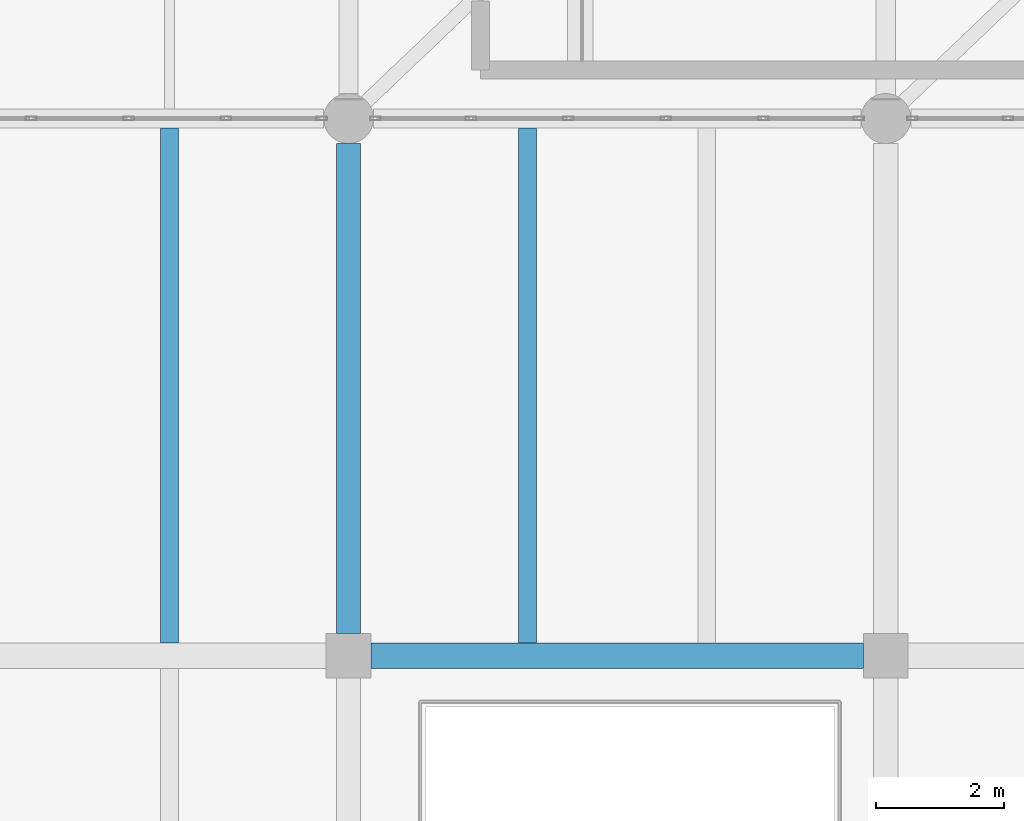
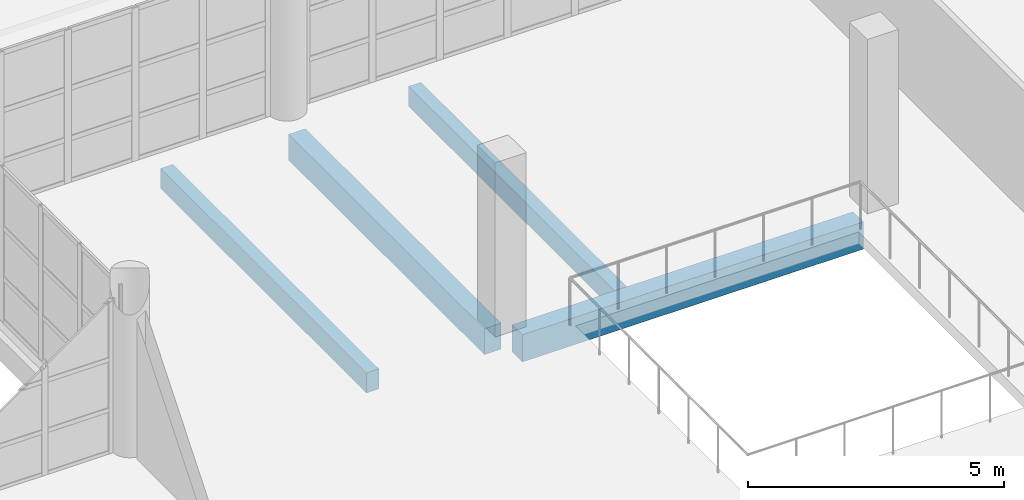
# One storey, part 80 of 177: 4 beams.
"""IFC4 building model written with IfcOpenShell, lengths in metres."""

import ifcopenshell
import ifcopenshell.guid

model = None  # the IFC model being written
_history = None  # IfcOwnerHistory: only IFC2X3 demands one
_inside = {}  # id of a spatial element -> (the spatial element, [elements in it])
_under = {}  # id of a project, library or spatial element -> (it, [spatial elements below it])
_declared = {}  # id of a project -> (the project, [libraries it declares])
_typed = {}  # id of a type object -> (the type object, [elements of that type])
_made_of = {}  # id of a material, layer set ... -> (it, [elements and type objects made of it])


def new_model(schema):
    """Start an empty IFC model of exactly this schema.

    Asked for "IFC4X3", IfcOpenShell would pick the latest addendum, in which some entities
    have other attributes; the version numbers below select the first issue.
    IFC2X3 requires an IfcOwnerHistory on every rooted entity: one is made here for all.
    """
    global model, _history
    if schema == "IFC4X3":
        model = ifcopenshell.file(schema_version=(4, 3, 0, 0))
    else:
        model = ifcopenshell.file(schema=schema)
    _inside.clear()
    _under.clear()
    _declared.clear()
    _typed.clear()
    _made_of.clear()
    _history = None
    if model.schema == "IFC2X3":
        org = make("IfcOrganization", Name="unknown")
        user = make(
            "IfcPersonAndOrganization",
            ThePerson=make("IfcPerson", FamilyName="unknown"),
            TheOrganization=org,
        )
        app = make(
            "IfcApplication",
            ApplicationDeveloper=org,
            Version="unknown",
            ApplicationFullName="unknown",
            ApplicationIdentifier="unknown",
        )
        _history = make(
            "IfcOwnerHistory",
            OwningUser=user,
            OwningApplication=app,
            ChangeAction="ADDED",
            CreationDate=0,
        )
    return model


def make(cls, **values):
    """One entity of the class cls with the attributes given. An attribute that is None is left unset."""
    return model.create_entity(
        cls, **{name: value for name, value in values.items() if value is not None}
    )


def rooted(cls, **values):
    """An entity with a GlobalId (a new one), such as an element, a storey or a relation."""
    return make(cls, GlobalId=ifcopenshell.guid.new(), OwnerHistory=_history, **values)


def si_unit(unit_type, name, prefix=None):
    """IfcSIUnit, for example si_unit("LENGTHUNIT", "METRE", prefix="MILLI")."""
    return make("IfcSIUnit", UnitType=unit_type, Prefix=prefix, Name=name)


def assignment(units):
    """IfcUnitAssignment: the units of a project."""
    return None if units is None else make("IfcUnitAssignment", Units=units)


def point(xyz):
    """IfcCartesianPoint."""
    return None if xyz is None else make("IfcCartesianPoint", Coordinates=xyz)


def direction(xyz):
    """IfcDirection."""
    return None if xyz is None else make("IfcDirection", DirectionRatios=xyz)


def frame(location, z_axis=None, x_axis=None):
    """IfcAxis2Placement3D, a coordinate frame: its origin and axes. An axis left out is left unset."""
    return make(
        "IfcAxis2Placement3D",
        Location=point(location),
        Axis=direction(z_axis),
        RefDirection=direction(x_axis),
    )


def frame_2d(location, x_axis=None):
    """IfcAxis2Placement2D, a coordinate frame in the plane: its origin and x axis."""
    return make(
        "IfcAxis2Placement2D", Location=point(location), RefDirection=direction(x_axis)
    )


def origin():
    """The frame at (0, 0, 0) with its axes left unset."""
    return frame((0.0, 0.0, 0.0))


def origin_2d():
    """The frame at (0, 0) in the plane with its x axis left unset."""
    return frame_2d((0.0, 0.0))


def place(relative_to, where):
    """IfcLocalPlacement: puts the frame where relative to a parent placement (None: the world)."""
    return make(
        "IfcLocalPlacement", PlacementRelTo=relative_to, RelativePlacement=where
    )


def context(
    kind, dimensions, precision=None, world=None, true_north=None, identifier=None
):
    """IfcGeometricRepresentationContext, for example the 3D "Model" context."""
    return make(
        "IfcGeometricRepresentationContext",
        ContextIdentifier=identifier,
        ContextType=kind,
        CoordinateSpaceDimension=dimensions,
        Precision=precision,
        WorldCoordinateSystem=world,
        TrueNorth=true_north,
    )


def subcontext(parent, identifier, kind, view, scale=None):
    """IfcGeometricRepresentationSubContext, for example "Body" below "Model"."""
    return make(
        "IfcGeometricRepresentationSubContext",
        ContextIdentifier=identifier,
        ContextType=kind,
        ParentContext=parent,
        TargetScale=scale,
        TargetView=view,
    )


def project(units=None, contexts=None):
    """IfcProject with its units and contexts."""
    return rooted(
        "IfcProject",
        Name="project",
        RepresentationContexts=contexts,
        UnitsInContext=assignment(units),
    )


def spatial(cls, under=None, at=None, **own):
    """A site, building, storey or space (cls), placed at a placement, below another one or the project."""
    s = rooted(cls, ObjectPlacement=at, **own)
    if under is not None:
        _under.setdefault(under.id(), (under, []))[1].append(s)
    return s


def profile(cls, at=None, kind="AREA", **sizes):
    """A parametric profile (cls). Its sizes go by their IFC names, for example OverallWidth=200.0."""
    return make(cls, ProfileType=kind, Position=at, **sizes)


def rectangle(**sizes):
    """IfcRectangleProfileDef."""
    return profile("IfcRectangleProfileDef", **sizes)


def extrude(swept, where, along, depth):
    """IfcExtrudedAreaSolid: the profile swept, set in the frame where, extruded along a direction by depth."""
    return make(
        "IfcExtrudedAreaSolid",
        SweptArea=swept,
        Position=where,
        ExtrudedDirection=direction(along),
        Depth=depth,
    )


def shape(context_of_items, identifier, shape_type, items):
    """IfcShapeRepresentation: the items that make up one representation, for example the "Body"."""
    return make(
        "IfcShapeRepresentation",
        ContextOfItems=context_of_items,
        RepresentationIdentifier=identifier,
        RepresentationType=shape_type,
        Items=items,
    )


def material(Name=None, Category=None):
    """IfcMaterial."""
    return make("IfcMaterial", Name=Name, Category=Category)


def material_profile(
    of_material, cross_section, Name=None, Category=None, Priority=None
):
    """IfcMaterialProfile: a cross section and its material."""
    return make(
        "IfcMaterialProfile",
        Name=Name,
        Material=of_material,
        Profile=cross_section,
        Priority=Priority,
        Category=Category,
    )


def profile_set(profiles, Name=None, composite=None):
    """IfcMaterialProfileSet."""
    return make(
        "IfcMaterialProfileSet",
        Name=Name,
        MaterialProfiles=profiles,
        CompositeProfile=composite,
    )


def made_of(thing, what):
    """Note that an element or type object is made of a material, layer set ...; save() writes the relation."""
    if what is not None:
        _made_of.setdefault(what.id(), (what, []))[1].append(thing)
    return thing


def type_object(cls, material=None, **own):
    """A type object (cls), such as IfcWallType, which elements share."""
    return made_of(rooted(cls, **own), material)


def element(
    cls,
    number,
    at=None,
    inside=None,
    cuts=None,
    type_object=None,
    material=None,
    context=None,
    identifier="Body",
    shape_type=None,
    held_by="IfcProductDefinitionShape",
    body=None,
    shapes=None,
    **own,
):
    """One element of the class cls, such as IfcWall. Its Tag is "e" and its number.

    at: its placement. inside: the storey or other place that contains it. cuts: it is an
    opening in that element (IfcRelVoidsElement). A single representation is given by context,
    identifier, shape_type and body (its items); several are given by shapes. held_by: the class
    of the entity that holds the representations. save() writes the other relations.
    """
    e = rooted(cls, Tag="e%d" % number, ObjectPlacement=at, **own)
    if body is not None:
        shapes = [shape(context, identifier, shape_type, body)]
    if shapes is not None:
        e.Representation = make(held_by, Representations=shapes)
    if inside is not None:
        _inside.setdefault(inside.id(), (inside, []))[1].append(e)
    if cuts is not None:
        rooted(
            "IfcRelVoidsElement", RelatingBuildingElement=cuts, RelatedOpeningElement=e
        )
    if type_object is not None:
        _typed.setdefault(type_object.id(), (type_object, []))[1].append(e)
    return made_of(e, material)


def aggregate(whole, parts):
    """IfcRelAggregates: a whole, such as a stair, and the parts it consists of."""
    return rooted("IfcRelAggregates", RelatingObject=whole, RelatedObjects=parts)


def save(model, path):
    """Write the relations noted so far, then the file.

    IfcRelAggregates (storeys below a building ...), IfcRelContainedInSpatialStructure (elements
    in a storey), IfcRelDefinesByType, IfcRelAssociatesMaterial and IfcRelDeclares: one each for
    every whole, place, type object, material and project.
    """
    for whole, parts in _under.values():
        aggregate(whole, parts)
    for where, things in _inside.values():
        rooted(
            "IfcRelContainedInSpatialStructure",
            RelatedElements=things,
            RelatingStructure=where,
        )
    for kind, things in _typed.values():
        rooted("IfcRelDefinesByType", RelatedObjects=things, RelatingType=kind)
    for what, things in _made_of.values():
        rooted("IfcRelAssociatesMaterial", RelatedObjects=things, RelatingMaterial=what)
    for by, libraries in _declared.values():
        rooted("IfcRelDeclares", RelatingContext=by, RelatedDefinitions=libraries)
    model.write(path)


model = new_model("IFC4")

# Units and contexts
model_context = context("Model", 3, precision=1e-05, world=origin(), true_north=direction((0.0, 1.0)))
body_context = subcontext(model_context, "Body", "Model", "MODEL_VIEW")
ifc_project = project(units=[si_unit("LENGTHUNIT", "METRE"), si_unit("AREAUNIT", "SQUARE_METRE"), si_unit("VOLUMEUNIT", "CUBIC_METRE"), si_unit("PLANEANGLEUNIT", "RADIAN"), si_unit("MASSUNIT", "GRAM", prefix="KILO"), si_unit("THERMODYNAMICTEMPERATUREUNIT", "KELVIN"), si_unit("POWERUNIT", "WATT")], contexts=[model_context])

# Site, building, storey
site_placement = place(None, origin())
site = spatial("IfcSite", under=ifc_project, at=site_placement, CompositionType="ELEMENT")
building_placement = place(site_placement, origin())
building = spatial("IfcBuilding", under=site, at=building_placement, Name="Mavoryth Pier Ferry Terminal", CompositionType="ELEMENT")
storey_placement = place(building_placement, frame((0.0, 0.0, 5.43994140625)))
storey = spatial("IfcBuildingStorey", under=building, at=storey_placement, Name="L01", CompositionType="ELEMENT", Elevation=5.43994140625)

# Beams
ifc_material = material(Name="Concrete C35/45", Category="concrete")
ifc_material_profile_1 = material_profile(ifc_material, rectangle(XDim=0.3798828125, YDim=0.6201171875, at=origin_2d()), Name="RC 380x620", Category="concrete")
ifc_profile_set_1 = profile_set([ifc_material_profile_1], Name="Concrete C35/45 - RC 380x620")
beam_type_1 = type_object("IfcBeamType", Name="Girder-RC-380x620", PredefinedType="BEAM", material=ifc_profile_set_1)
beam_1_placement = place(storey_placement, frame((58.800048828125, 97.949951171875, -0.58984375), z_axis=(0.0, 1.0, 0.0), x_axis=(-1.0, 0.0, 0.0)))
element("IfcBeam", 1, at=beam_1_placement, inside=storey, type_object=beam_type_1, Name="Beam B01-BG06-0210", PredefinedType="BEAM", context=body_context, shape_type="SweptSolid", body=[
    extrude(rectangle(XDim=0.3798828125, YDim=0.6201171875, at=origin_2d()), origin(), (0.0, 0.0, 1.0), 7.66015625),
])
ifc_material_profile_2 = material_profile(ifc_material, rectangle(XDim=0.39990234375, YDim=0.64990234375, at=origin_2d()), Name="RC 400x650", Category="concrete")
ifc_profile_set_2 = profile_set([ifc_material_profile_2], Name="Concrete C35/45 - RC 400x650")
beam_type_2 = type_object("IfcBeamType", Name="Girder-RC-400x650", PredefinedType="BEAM", material=ifc_profile_set_2)
beam_2_placement = place(storey_placement, frame((59.14990234375, 97.60009765625, -0.60498046875), z_axis=(1.0, 0.0, 0.0), x_axis=(0.0, 1.0, 0.0)))
element("IfcBeam", 2, at=beam_2_placement, inside=storey, type_object=beam_type_2, Name="Beam B01-BG05-0195", PredefinedType="BEAM", context=body_context, shape_type="SweptSolid", body=[
    extrude(rectangle(XDim=0.39990234375, YDim=0.64990234375, at=origin_2d()), origin(), (0.0, 0.0, 1.0), 7.7001953125),
])
ifc_material_profile_3 = material_profile(ifc_material, rectangle(XDim=0.280029296875, YDim=0.47998046875, at=origin_2d()), Name="RC 280x480", Category="concrete")
ifc_profile_set_3 = profile_set([ifc_material_profile_3], Name="Concrete C35/45 - RC 280x480")
beam_type_3 = type_object("IfcBeamType", Name="Joist-RC-280x480", PredefinedType="JOIST", material=ifc_profile_set_3)
for number, where, z_axis, x_axis, name in (
    (3, (56.0, 97.800048828125, -0.52001953125), (0.0, 1.0, 0.0), (-1.0, 0.0, 0.0), "Beam B01-BJ02-0232"),
    (4, (61.60009765625, 97.800048828125, -0.52001953125), (0.0, 1.0, 0.0), (-1.0, 0.0, 0.0), "Beam B01-BJ02-0237"),
):
    element("IfcBeam", number, at=place(storey_placement, frame(where, z_axis=z_axis, x_axis=x_axis)), inside=storey, type_object=beam_type_3, Name=name, PredefinedType="JOIST", context=body_context, shape_type="SweptSolid", body=[
        extrude(rectangle(XDim=0.280029296875, YDim=0.47998046875, at=origin_2d()), origin(), (0.0, 0.0, 1.0), 8.050048828125),
    ])

save(model, "model.ifc")
